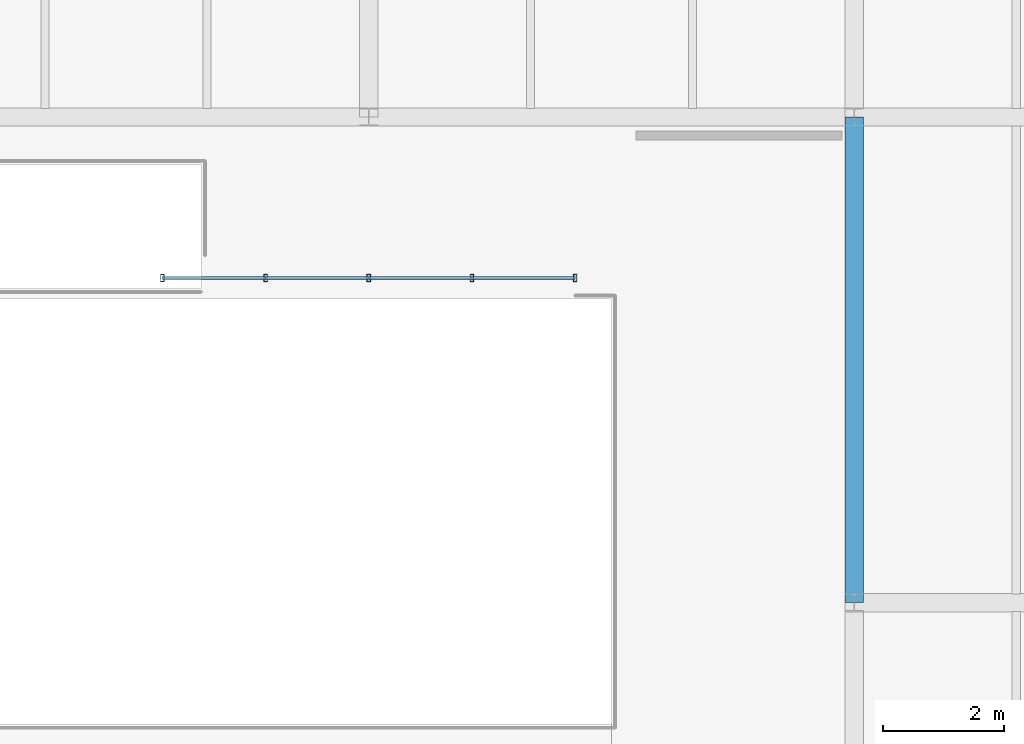
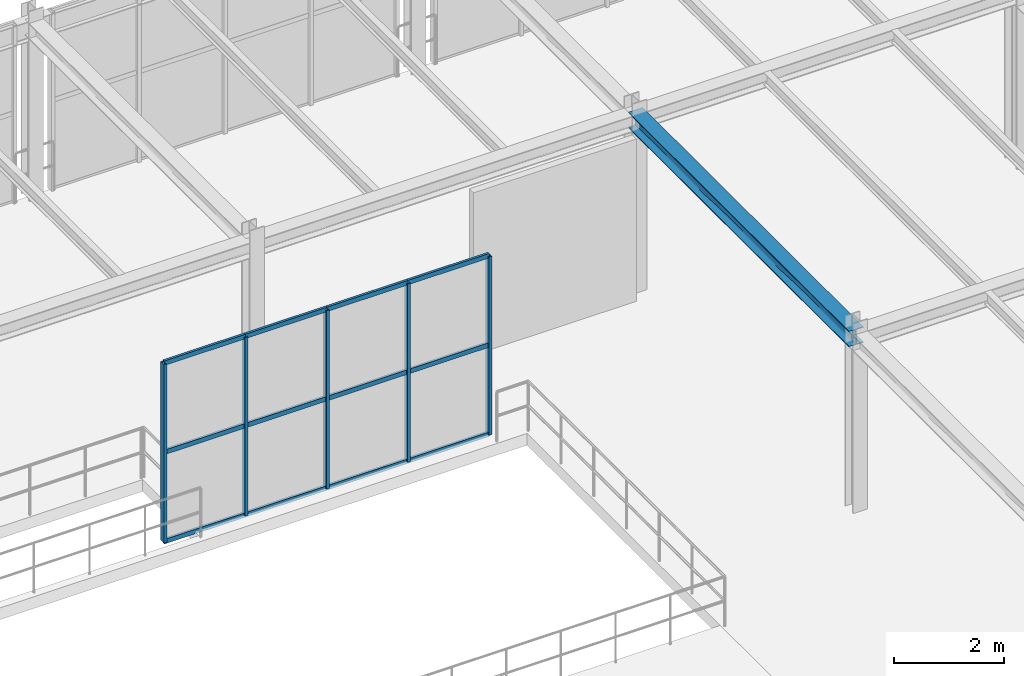
# One storey, part 44 of 124: 17 members, 1 beam, 1 element without a shape of its own.
"""IFC4 building model written with IfcOpenShell, lengths in metres."""

from ifc_helpers import new_model, si_unit, direction, frame, origin, origin_2d, place, context, subcontext, project, spatial, hollow_rectangle, i_section, extrude, material, material_profile, profile_set, type_object, element, aggregate, save


model = new_model("IFC4")

# Units and contexts
model_context = context("Model", 3, precision=1e-05, world=origin(), true_north=direction((0.0, 1.0)))
body_context = subcontext(model_context, "Body", "Model", "MODEL_VIEW")
ifc_project = project(units=[si_unit("LENGTHUNIT", "METRE"), si_unit("AREAUNIT", "SQUARE_METRE"), si_unit("VOLUMEUNIT", "CUBIC_METRE"), si_unit("PLANEANGLEUNIT", "RADIAN"), si_unit("MASSUNIT", "GRAM", prefix="KILO")], contexts=[model_context])

# Site, building, storey
site_placement = place(None, origin())
site = spatial("IfcSite", under=ifc_project, at=site_placement, CompositionType="ELEMENT")
building_placement = place(site_placement, origin())
building = spatial("IfcBuilding", under=site, at=building_placement, Name="Sundkrona Museum", CompositionType="ELEMENT")
storey_placement = place(building_placement, frame((0.0, 0.0, 17.60009765625)))
storey = spatial("IfcBuildingStorey", under=building, at=storey_placement, Name="L03", CompositionType="ELEMENT", Elevation=17.60009765625)

# Beam
ifc_material_1 = material(Name="Steel S355J2", Category="steel")
ifc_material_profile_1 = material_profile(ifc_material_1, i_section(OverallWidth=0.300048828125, OverallDepth=0.35009765625, WebThickness=0.010009765625, FlangeThickness=0.017578125, FilletRadius=0.027099609375, at=origin_2d()), Name="HEA 360")
ifc_profile_set_1 = profile_set([ifc_material_profile_1], Name="Steel S355J2")
beam_type = type_object("IfcBeamType", Name="B-HEA360", PredefinedType="BEAM", material=ifc_profile_set_1)
beam_placement = place(storey_placement, frame((112.0, 24.0, 3.764892578125), z_axis=(0.0, 1.0, 0.0), x_axis=(-1.0, 0.0, 0.0)))
element("IfcBeam", 1, at=beam_placement, inside=storey, type_object=beam_type, Name="L03 Girder Y-1620", PredefinedType="BEAM", context=body_context, shape_type="SweptSolid", body=[
    extrude(i_section(OverallWidth=0.300048828125, OverallDepth=0.35009765625, WebThickness=0.010009765625, FlangeThickness=0.017578125, FilletRadius=0.027099609375, at=origin_2d()), origin(), (0.0, 0.0, 1.0), 8.0),
])

# Curtain wall, members
ifc_material_2 = material(Name="Unitised Aluminium-Steel and Ceramic-Clad Curtain Walling", Category="steel")
curtain_wall_type = type_object("IfcCurtainWallType", Name="CW-IN-68x36", PredefinedType="NOTDEFINED", material=ifc_material_2)
curtain_wall_placement = place(storey_placement, origin())
curtain_wall = element("IfcCurtainWall", 2, at=curtain_wall_placement, inside=storey, type_object=curtain_wall_type, Name="L03 Curtain Wall CW-L03-076", PredefinedType="NOTDEFINED")
ifc_material_3 = material(Name="Aluminium EN AW-6060 T66", Category="aluminium")
ifc_material_profile_2 = material_profile(ifc_material_3, hollow_rectangle(XDim=0.06005859375, YDim=0.1201171875, WallThickness=0.0048828125, at=origin_2d()), Name="RHS 120x60x5.0")
ifc_profile_set_2 = profile_set([ifc_material_profile_2], Name="Aluminium EN AW-6060 T66")
member_type_1 = type_object("IfcMemberType", Name="ML-120", PredefinedType="MULLION", material=ifc_profile_set_2)
member_1_placement = place(storey_placement, frame((100.60009765625, 29.35009765625, -0.004150390625), z_axis=(0.0, 0.0, 1.0), x_axis=(1.0, 0.0, 0.0)))
member_1 = element("IfcMember", 3, at=member_1_placement, type_object=member_type_1, Name="CW-L03-076 Mullion 01", PredefinedType="MULLION", context=body_context, shape_type="SweptSolid", body=[
    extrude(hollow_rectangle(XDim=0.06005859375, YDim=0.1201171875, WallThickness=0.0048828125, at=origin_2d()), origin(), (0.0, 0.0, 1.0), 3.947998046875),
])
member_2_placement = place(storey_placement, frame((102.300048828125, 29.35009765625, -0.004150390625), z_axis=(0.0, 0.0, 1.0), x_axis=(1.0, 0.0, 0.0)))
member_2 = element("IfcMember", 4, at=member_2_placement, type_object=member_type_1, Name="CW-L03-076 Mullion 02", PredefinedType="MULLION", context=body_context, shape_type="SweptSolid", body=[
    extrude(hollow_rectangle(XDim=0.06005859375, YDim=0.1201171875, WallThickness=0.0048828125, at=origin_2d()), origin(), (0.0, 0.0, 1.0), 3.947998046875),
])
member_3_placement = place(storey_placement, frame((104.0, 29.35009765625, -0.004150390625), z_axis=(0.0, 0.0, 1.0), x_axis=(1.0, 0.0, 0.0)))
member_3 = element("IfcMember", 5, at=member_3_placement, type_object=member_type_1, Name="CW-L03-076 Mullion 03", PredefinedType="MULLION", context=body_context, shape_type="SweptSolid", body=[
    extrude(hollow_rectangle(XDim=0.06005859375, YDim=0.1201171875, WallThickness=0.0048828125, at=origin_2d()), origin(), (0.0, 0.0, 1.0), 3.947998046875),
])
member_4_placement = place(storey_placement, frame((105.699951171875, 29.35009765625, -0.004150390625), z_axis=(0.0, 0.0, 1.0), x_axis=(1.0, 0.0, 0.0)))
member_4 = element("IfcMember", 6, at=member_4_placement, type_object=member_type_1, Name="CW-L03-076 Mullion 04", PredefinedType="MULLION", context=body_context, shape_type="SweptSolid", body=[
    extrude(hollow_rectangle(XDim=0.06005859375, YDim=0.1201171875, WallThickness=0.0048828125, at=origin_2d()), origin(), (0.0, 0.0, 1.0), 3.947998046875),
])
member_5_placement = place(storey_placement, frame((107.39990234375, 29.35009765625, -0.004150390625), z_axis=(0.0, 0.0, 1.0), x_axis=(1.0, 0.0, 0.0)))
member_5 = element("IfcMember", 7, at=member_5_placement, type_object=member_type_1, Name="CW-L03-076 Mullion 05", PredefinedType="MULLION", context=body_context, shape_type="SweptSolid", body=[
    extrude(hollow_rectangle(XDim=0.06005859375, YDim=0.1201171875, WallThickness=0.0048828125, at=origin_2d()), origin(), (0.0, 0.0, 1.0), 3.947998046875),
])
ifc_material_profile_3 = material_profile(ifc_material_3, hollow_rectangle(XDim=0.050048828125, YDim=0.10009765625, WallThickness=0.0048828125, at=origin_2d()), Name="RHS 100x50x5.0")
ifc_profile_set_3 = profile_set([ifc_material_profile_3], Name="Aluminium EN AW-6060 T66")
member_type_2 = type_object("IfcMemberType", Name="TR-100", PredefinedType="USERDEFINED", material=ifc_profile_set_3)
member_6_placement = place(storey_placement, frame((100.60009765625, 29.35009765625, -0.004150390625), z_axis=(1.0, 0.0, 0.0), x_axis=(0.0, 1.0, 0.0)))
member_6 = element("IfcMember", 8, at=member_6_placement, type_object=member_type_2, Name="CW-L03-076 Transom 01", ObjectType="TRANSOM", PredefinedType="USERDEFINED", context=body_context, shape_type="SweptSolid", body=[
    extrude(hollow_rectangle(XDim=0.050048828125, YDim=0.10009765625, WallThickness=0.0048828125, at=origin_2d()), origin(), (0.0, 0.0, 1.0), 1.699951171875),
])
member_7_placement = place(storey_placement, frame((100.60009765625, 29.35009765625, 1.969970703125), z_axis=(1.0, 0.0, 0.0), x_axis=(0.0, 1.0, 0.0)))
member_7 = element("IfcMember", 9, at=member_7_placement, type_object=member_type_2, Name="CW-L03-076 Transom 02", ObjectType="TRANSOM", PredefinedType="USERDEFINED", context=body_context, shape_type="SweptSolid", body=[
    extrude(hollow_rectangle(XDim=0.050048828125, YDim=0.10009765625, WallThickness=0.0048828125, at=origin_2d()), origin(), (0.0, 0.0, 1.0), 1.699951171875),
])
member_8_placement = place(storey_placement, frame((100.60009765625, 29.35009765625, 3.94384765625), z_axis=(1.0, 0.0, 0.0), x_axis=(0.0, 1.0, 0.0)))
member_8 = element("IfcMember", 10, at=member_8_placement, type_object=member_type_2, Name="CW-L03-076 Transom 03", ObjectType="TRANSOM", PredefinedType="USERDEFINED", context=body_context, shape_type="SweptSolid", body=[
    extrude(hollow_rectangle(XDim=0.050048828125, YDim=0.10009765625, WallThickness=0.0048828125, at=origin_2d()), origin(), (0.0, 0.0, 1.0), 1.699951171875),
])
member_9_placement = place(storey_placement, frame((102.300048828125, 29.35009765625, -0.004150390625), z_axis=(1.0, 0.0, 0.0), x_axis=(0.0, 1.0, 0.0)))
member_9 = element("IfcMember", 11, at=member_9_placement, type_object=member_type_2, Name="CW-L03-076 Transom 04", ObjectType="TRANSOM", PredefinedType="USERDEFINED", context=body_context, shape_type="SweptSolid", body=[
    extrude(hollow_rectangle(XDim=0.050048828125, YDim=0.10009765625, WallThickness=0.0048828125, at=origin_2d()), origin(), (0.0, 0.0, 1.0), 1.699951171875),
])
member_10_placement = place(storey_placement, frame((102.300048828125, 29.35009765625, 1.969970703125), z_axis=(1.0, 0.0, 0.0), x_axis=(0.0, 1.0, 0.0)))
member_10 = element("IfcMember", 12, at=member_10_placement, type_object=member_type_2, Name="CW-L03-076 Transom 05", ObjectType="TRANSOM", PredefinedType="USERDEFINED", context=body_context, shape_type="SweptSolid", body=[
    extrude(hollow_rectangle(XDim=0.050048828125, YDim=0.10009765625, WallThickness=0.0048828125, at=origin_2d()), origin(), (0.0, 0.0, 1.0), 1.699951171875),
])
member_11_placement = place(storey_placement, frame((102.300048828125, 29.35009765625, 3.94384765625), z_axis=(1.0, 0.0, 0.0), x_axis=(0.0, 1.0, 0.0)))
member_11 = element("IfcMember", 13, at=member_11_placement, type_object=member_type_2, Name="CW-L03-076 Transom 06", ObjectType="TRANSOM", PredefinedType="USERDEFINED", context=body_context, shape_type="SweptSolid", body=[
    extrude(hollow_rectangle(XDim=0.050048828125, YDim=0.10009765625, WallThickness=0.0048828125, at=origin_2d()), origin(), (0.0, 0.0, 1.0), 1.699951171875),
])
member_12_placement = place(storey_placement, frame((104.0, 29.35009765625, -0.004150390625), z_axis=(1.0, 0.0, 0.0), x_axis=(0.0, 1.0, 0.0)))
member_12 = element("IfcMember", 14, at=member_12_placement, type_object=member_type_2, Name="CW-L03-076 Transom 07", ObjectType="TRANSOM", PredefinedType="USERDEFINED", context=body_context, shape_type="SweptSolid", body=[
    extrude(hollow_rectangle(XDim=0.050048828125, YDim=0.10009765625, WallThickness=0.0048828125, at=origin_2d()), origin(), (0.0, 0.0, 1.0), 1.699951171875),
])
member_13_placement = place(storey_placement, frame((104.0, 29.35009765625, 1.969970703125), z_axis=(1.0, 0.0, 0.0), x_axis=(0.0, 1.0, 0.0)))
member_13 = element("IfcMember", 15, at=member_13_placement, type_object=member_type_2, Name="CW-L03-076 Transom 08", ObjectType="TRANSOM", PredefinedType="USERDEFINED", context=body_context, shape_type="SweptSolid", body=[
    extrude(hollow_rectangle(XDim=0.050048828125, YDim=0.10009765625, WallThickness=0.0048828125, at=origin_2d()), origin(), (0.0, 0.0, 1.0), 1.699951171875),
])
member_14_placement = place(storey_placement, frame((104.0, 29.35009765625, 3.94384765625), z_axis=(1.0, 0.0, 0.0), x_axis=(0.0, 1.0, 0.0)))
member_14 = element("IfcMember", 16, at=member_14_placement, type_object=member_type_2, Name="CW-L03-076 Transom 09", ObjectType="TRANSOM", PredefinedType="USERDEFINED", context=body_context, shape_type="SweptSolid", body=[
    extrude(hollow_rectangle(XDim=0.050048828125, YDim=0.10009765625, WallThickness=0.0048828125, at=origin_2d()), origin(), (0.0, 0.0, 1.0), 1.699951171875),
])
member_15_placement = place(storey_placement, frame((105.699951171875, 29.35009765625, -0.004150390625), z_axis=(1.0, 0.0, 0.0), x_axis=(0.0, 1.0, 0.0)))
member_15 = element("IfcMember", 17, at=member_15_placement, type_object=member_type_2, Name="CW-L03-076 Transom 10", ObjectType="TRANSOM", PredefinedType="USERDEFINED", context=body_context, shape_type="SweptSolid", body=[
    extrude(hollow_rectangle(XDim=0.050048828125, YDim=0.10009765625, WallThickness=0.0048828125, at=origin_2d()), origin(), (0.0, 0.0, 1.0), 1.699951171875),
])
member_16_placement = place(storey_placement, frame((105.699951171875, 29.35009765625, 1.969970703125), z_axis=(1.0, 0.0, 0.0), x_axis=(0.0, 1.0, 0.0)))
member_16 = element("IfcMember", 18, at=member_16_placement, type_object=member_type_2, Name="CW-L03-076 Transom 11", ObjectType="TRANSOM", PredefinedType="USERDEFINED", context=body_context, shape_type="SweptSolid", body=[
    extrude(hollow_rectangle(XDim=0.050048828125, YDim=0.10009765625, WallThickness=0.0048828125, at=origin_2d()), origin(), (0.0, 0.0, 1.0), 1.699951171875),
])
member_17_placement = place(storey_placement, frame((105.699951171875, 29.35009765625, 3.94384765625), z_axis=(1.0, 0.0, 0.0), x_axis=(0.0, 1.0, 0.0)))
member_17 = element("IfcMember", 19, at=member_17_placement, type_object=member_type_2, Name="CW-L03-076 Transom 12", ObjectType="TRANSOM", PredefinedType="USERDEFINED", context=body_context, shape_type="SweptSolid", body=[
    extrude(hollow_rectangle(XDim=0.050048828125, YDim=0.10009765625, WallThickness=0.0048828125, at=origin_2d()), origin(), (0.0, 0.0, 1.0), 1.699951171875),
])
aggregate(curtain_wall, [member_1, member_2, member_3, member_4, member_5, member_6, member_7, member_8, member_9, member_10, member_11, member_12, member_13, member_14, member_15, member_16, member_17])

save(model, "model.ifc")
